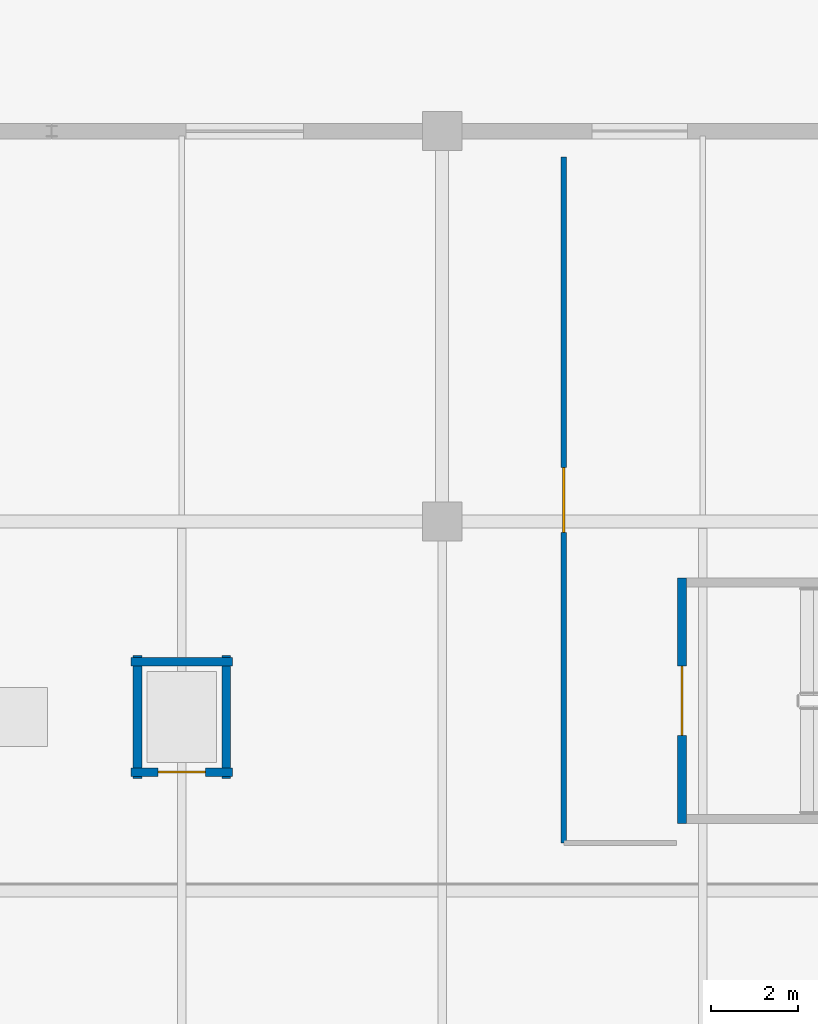
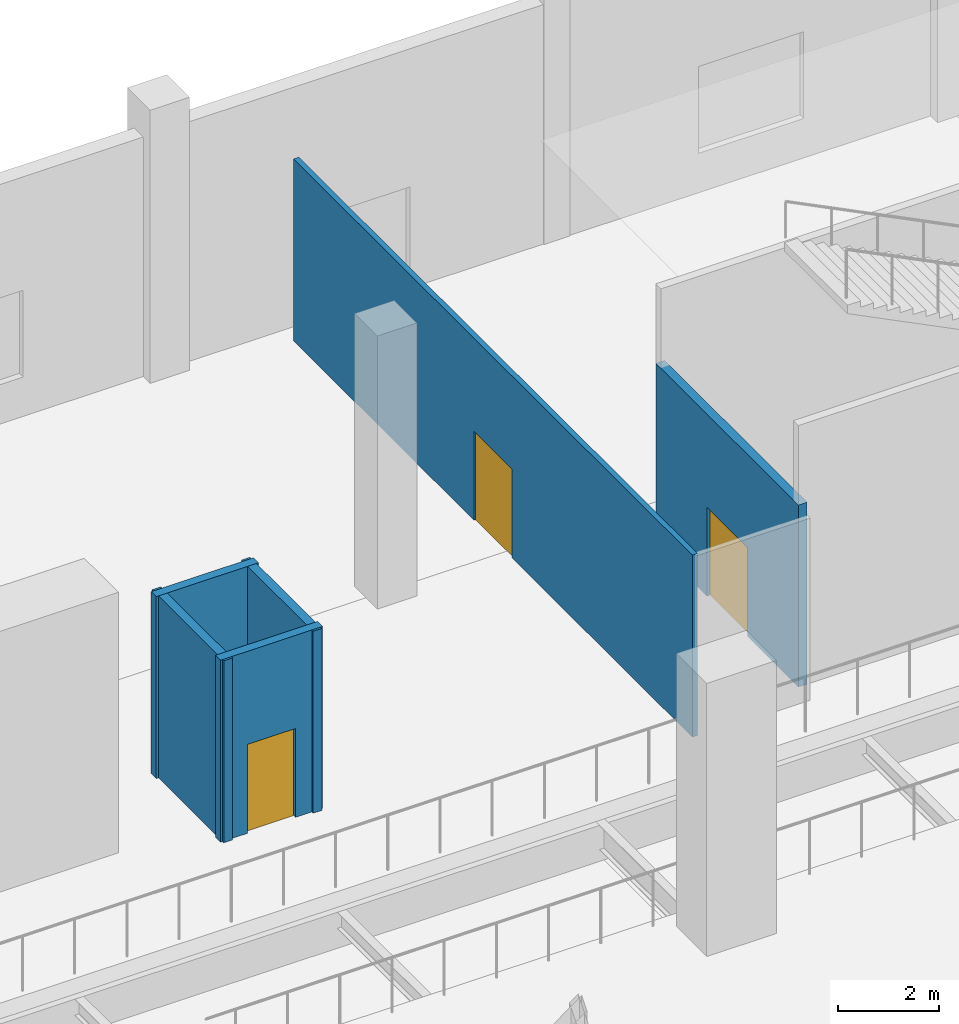
# One storey, part 19 of 65: 6 walls, 3 doors, 3 openings.
"""IFC4 building model written with IfcOpenShell, lengths in metres."""

from ifc_helpers import new_model, si_unit, direction, frame, frame_2d, origin, place, context, subcontext, project, spatial, rectangle, extrude, material, layer, layer_set, type_object, element, fill, save


model = new_model("IFC4")

# Units and contexts
model_context = context("Model", 3, precision=1e-05, world=origin(), true_north=direction((0.0, 1.0)))
body_context = subcontext(model_context, "Body", "Model", "MODEL_VIEW")
ifc_project = project(units=[si_unit("LENGTHUNIT", "METRE"), si_unit("AREAUNIT", "SQUARE_METRE"), si_unit("VOLUMEUNIT", "CUBIC_METRE"), si_unit("PLANEANGLEUNIT", "RADIAN"), si_unit("MASSUNIT", "GRAM", prefix="KILO")], contexts=[model_context])

# Site, building, storey
site_placement = place(None, origin())
site = spatial("IfcSite", under=ifc_project, at=site_placement, CompositionType="ELEMENT")
building_placement = place(site_placement, origin())
building = spatial("IfcBuilding", under=site, at=building_placement, Name="Chuanluo Vaults Station", CompositionType="ELEMENT")
storey_placement = place(building_placement, origin())
storey = spatial("IfcBuildingStorey", under=building, at=storey_placement, Name="L00", CompositionType="ELEMENT", Elevation=0.0)

# Wall, opening, door
ifc_material_1 = material(Name="Masonry blockwork M10", Category="masonry")
ifc_layer_1 = layer(ifc_material_1, 0.1201171875)
ifc_layer_set_1 = layer_set([ifc_layer_1], Name="Masonry blockwork M10")
wall_type_1 = type_object("IfcWallType", Name="WL-PRT-120", PredefinedType="PARTITIONING", material=ifc_layer_set_1)
wall_1_placement = place(storey_placement, frame((56.800048828125, 109.60009765625, 0.0), z_axis=(0.0, 0.0, 1.0), x_axis=(0.0, 1.0, 0.0)))
wall_1 = element("IfcWall", 1, at=wall_1_placement, inside=storey, type_object=wall_type_1, Name="L00-EX17 Stair ST-17 Protected North Exit Passage W partition", PredefinedType="PARTITIONING", context=body_context, shape_type="SweptSolid", body=[
    extrude(rectangle(XDim=15.7998046875, YDim=0.1201171875, at=frame_2d((7.89990234375, 0.0))), origin(), (0.0, 0.0, 1.0), 4.39990234375),
])
opening_1_placement = place(wall_1_placement, frame((7.14990234375, 0.0, 0.0)))
opening_1 = element("IfcOpeningElement", 2, at=opening_1_placement, cuts=wall_1, Name="Opening FD-03", PredefinedType="OPENING", context=body_context, shape_type="SweptSolid", body=[
    extrude(rectangle(XDim=1.5, YDim=2.14990234375, at=frame_2d((0.75, 1.074951171875))), frame((0.0, 0.07006, 0.0), z_axis=(0.0, -1.0, 0.0), x_axis=(1.0, 0.0, 0.0)), (0.0, 0.0, 1.0), 0.14012),
])
ifc_material_2 = material(Name="Fire-rated steel leaf", Category="steel")
door_type_1 = type_object("IfcDoorType", Name="DR-FIR-1500x2150", OperationType="NOTDEFINED", PredefinedType="DOOR", material=ifc_material_2)
door_1_placement = place(opening_1_placement, origin())
door_1 = element("IfcDoor", 3, at=door_1_placement, inside=storey, type_object=door_type_1, Name="D-158 Stair ST-17 Protected North Exit Passage door", OperationType="SINGLE_SWING_LEFT", OverallHeight=2.14990234375, OverallWidth=1.5, PredefinedType="DOOR", context=body_context, shape_type="SweptSolid", body=[
    extrude(rectangle(XDim=1.5, YDim=2.14990234375, at=frame_2d((0.75, 1.074951171875))), frame((0.0, 0.02490234375, 0.0), z_axis=(0.0, -1.0, 0.0), x_axis=(1.0, 0.0, 0.0)), (0.0, 0.0, 1.0), 0.050048828125),
])
fill(opening_1, door_1)

ifc_material_3 = material(Name="Concrete C40", Category="concrete")
ifc_layer_2 = layer(ifc_material_3, 0.199951171875)
ifc_layer_set_2 = layer_set([ifc_layer_2], Name="Concrete C40")
wall_type_2 = type_object("IfcWallType", Name="WL-SHF-200", PredefinedType="SOLIDWALL", material=ifc_layer_set_2)
wall_2_placement = place(storey_placement, frame((59.52490234375, 115.699951171875, 0.0), z_axis=(0.0, 0.0, 1.0), x_axis=(0.0, -1.0, 0.0)))
wall_2 = element("IfcWall", 4, at=wall_2_placement, inside=storey, type_object=wall_type_2, Name="Stair ST-17 vestibule wall L00", PredefinedType="SOLIDWALL", context=body_context, shape_type="SweptSolid", body=[
    extrude(rectangle(XDim=5.64990234375, YDim=0.199951171875, at=frame_2d((2.824951171875, 0.0))), origin(), (0.0, 0.0, 1.0), 4.39990234375),
])
opening_2_placement = place(wall_2_placement, frame((2.02490234375, 0.0, 0.0)))
opening_2 = element("IfcOpeningElement", 5, at=opening_2_placement, cuts=wall_2, Name="Opening FD-02", PredefinedType="OPENING", context=body_context, shape_type="SweptSolid", body=[
    extrude(rectangle(XDim=1.60009765625, YDim=2.14990234375, at=frame_2d((0.800048828125, 1.074951171875))), frame((0.0, 0.1101, 0.0), z_axis=(0.0, -1.0, 0.0), x_axis=(1.0, 0.0, 0.0)), (0.0, 0.0, 1.0), 0.21995),
])
ifc_material_4 = material(Name="Fire-rated steel leaf", Category="steel")
door_type_2 = type_object("IfcDoorType", Name="DR-FIR-1600x2150", OperationType="NOTDEFINED", PredefinedType="DOOR", material=ifc_material_4)
door_2_placement = place(opening_2_placement, origin())
door_2 = element("IfcDoor", 6, at=door_2_placement, inside=storey, type_object=door_type_2, Name="D-113 Stair ST-17 fire door L00", OperationType="SINGLE_SWING_RIGHT", OverallHeight=2.14990234375, OverallWidth=1.60009765625, PredefinedType="DOOR", context=body_context, shape_type="SweptSolid", body=[
    extrude(rectangle(XDim=1.60009765625, YDim=2.14990234375, at=frame_2d((0.800048828125, 1.074951171875))), frame((0.0, 0.02490234375, 0.0), z_axis=(0.0, -1.0, 0.0), x_axis=(1.0, 0.0, 0.0)), (0.0, 0.0, 1.0), 0.050048828125),
])
fill(opening_2, door_2)

wall_3_placement = place(storey_placement, frame((46.830078125, 111.22998046875, 0.0), z_axis=(0.0, 0.0, 1.0), x_axis=(1.0, 0.0, 0.0)))
wall_3 = element("IfcWall", 7, at=wall_3_placement, inside=storey, type_object=wall_type_2, Name="Lift PL-04 shaft wall L00 -Y", PredefinedType="SOLIDWALL", context=body_context, shape_type="SweptSolid", body=[
    extrude(rectangle(XDim=2.33984375, YDim=0.199951171875, at=frame_2d((1.169921875, 0.0))), origin(), (0.0, 0.0, 1.0), 4.39990234375),
])
opening_3_placement = place(wall_3_placement, frame((0.6201171875, 0.0, 0.0)))
opening_3 = element("IfcOpeningElement", 8, at=opening_3_placement, cuts=wall_3, Name="Opening LD-01", PredefinedType="OPENING", context=body_context, shape_type="SweptSolid", body=[
    extrude(rectangle(XDim=1.10009765625, YDim=2.14990234375, at=frame_2d((0.550048828125, 1.074951171875))), frame((0.0, 0.1101, 0.0), z_axis=(0.0, -1.0, 0.0), x_axis=(1.0, 0.0, 0.0)), (0.0, 0.0, 1.0), 0.21995),
])
ifc_material_5 = material(Name="Brushed stainless steel 304", Category="steel")
door_type_3 = type_object("IfcDoorType", Name="DR-LFT-1100x2150", OperationType="SLIDING_TO_LEFT", PredefinedType="DOOR", material=ifc_material_5)
door_3_placement = place(opening_3_placement, origin())
door_3 = element("IfcDoor", 9, at=door_3_placement, inside=storey, type_object=door_type_3, Name="LD-PL-04-01 Lift PL-04 sliding landing door L00", OperationType="SLIDING_TO_LEFT", OverallHeight=2.14990234375, OverallWidth=1.10009765625, PredefinedType="DOOR", context=body_context, shape_type="SweptSolid", body=[
    extrude(rectangle(XDim=1.10009765625, YDim=2.14990234375, at=frame_2d((0.550048828125, 1.074951171875))), frame((0.0, 0.02490234375, 0.0), z_axis=(0.0, -1.0, 0.0), x_axis=(1.0, 0.0, 0.0)), (0.0, 0.0, 1.0), 0.050048828125),
])
fill(opening_3, door_3)

# Walls
wall_4_placement = place(storey_placement, frame((49.169921875, 113.77001953125, 0.0), z_axis=(0.0, 0.0, 1.0), x_axis=(-1.0, 0.0, 0.0)))
element("IfcWall", 10, at=wall_4_placement, inside=storey, type_object=wall_type_2, Name="Lift PL-04 shaft wall L00 +Y", PredefinedType="SOLIDWALL", context=body_context, shape_type="SweptSolid", body=[
    extrude(rectangle(XDim=2.33984375, YDim=0.199951171875, at=frame_2d((1.169921875, 0.0))), origin(), (0.0, 0.0, 1.0), 4.39990234375),
])
for number, where, z_axis, x_axis, name in (
    (11, (46.97998046875, 113.919921875, 0.0), (0.0, 0.0, 1.0), (0.0, -1.0, 0.0), "Lift PL-04 shaft wall L00 -X"),
    (12, (49.02001953125, 111.080078125, 0.0), (0.0, 0.0, 1.0), (0.0, 1.0, 0.0), "Lift PL-04 shaft wall L00 +X"),
):
    element("IfcWall", number, at=place(storey_placement, frame(where, z_axis=z_axis, x_axis=x_axis)), inside=storey, type_object=wall_type_2, Name=name, PredefinedType="SOLIDWALL", context=body_context, shape_type="SweptSolid", body=[
        extrude(rectangle(XDim=2.83984375, YDim=0.199951171875, at=frame_2d((1.419921875, 0.0))), origin(), (0.0, 0.0, 1.0), 4.39990234375),
    ])

save(model, "model.ifc")
